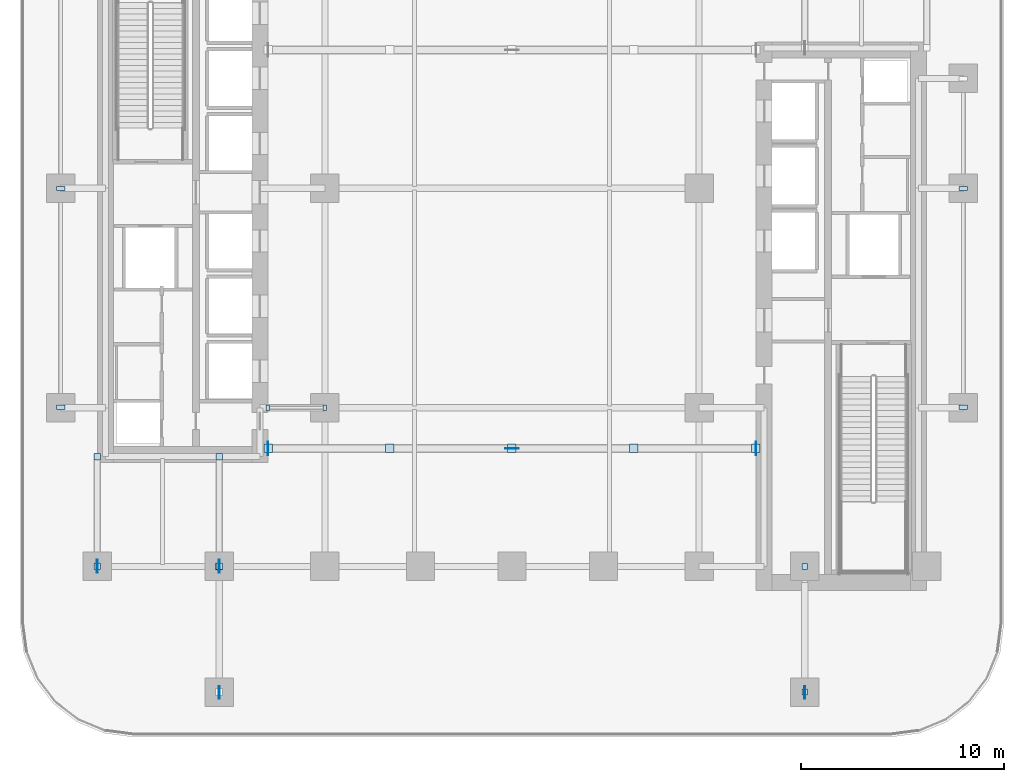
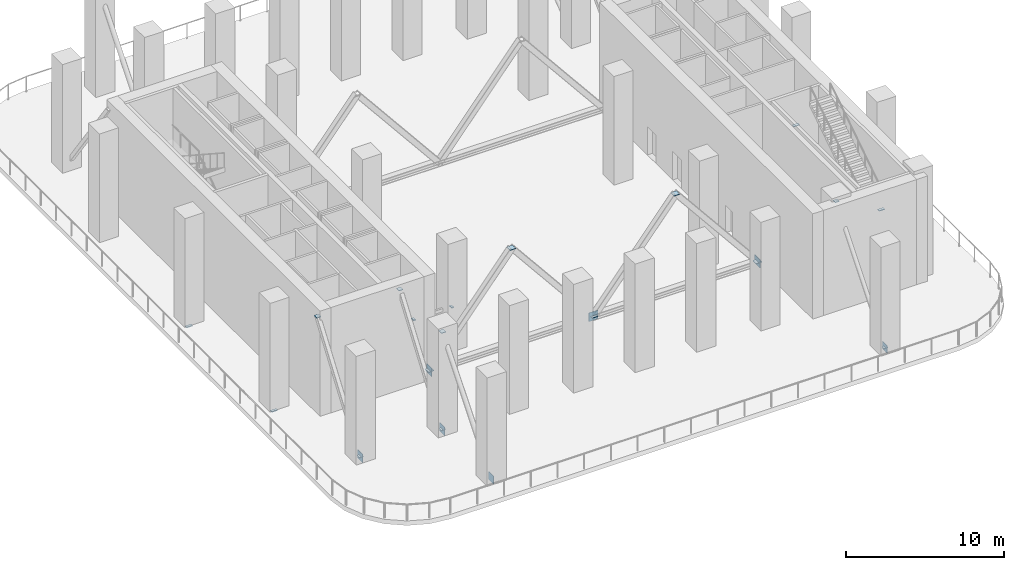
# One storey, part 3 of 13: 25 plates.
"""IFC4 building model written with IfcOpenShell, lengths in metres."""

from ifc_helpers import new_model, si_unit, direction, frame, origin, origin_2d, place, context, subcontext, project, spatial, rectangle, extrude, material, layer, layer_set, type_object, element, save


model = new_model("IFC4")

# Units and contexts
model_context = context("Model", 3, precision=1e-05, world=origin(), true_north=direction((0.0, 1.0)))
body_context = subcontext(model_context, "Body", "Model", "MODEL_VIEW")
ifc_project = project(units=[si_unit("LENGTHUNIT", "METRE"), si_unit("AREAUNIT", "SQUARE_METRE"), si_unit("VOLUMEUNIT", "CUBIC_METRE"), si_unit("PLANEANGLEUNIT", "RADIAN"), si_unit("MASSUNIT", "GRAM", prefix="KILO")], contexts=[model_context])

# Site, building, storey
site_placement = place(None, origin())
site = spatial("IfcSite", under=ifc_project, at=site_placement, CompositionType="ELEMENT")
building_placement = place(site_placement, origin())
building = spatial("IfcBuilding", under=site, at=building_placement, Name="Khairoan Windgate Tower", CompositionType="ELEMENT")
storey_placement = place(building_placement, frame((0.0, 0.0, 84.800048828125)))
storey = spatial("IfcBuildingStorey", under=building, at=storey_placement, Name="L20", CompositionType="ELEMENT", Elevation=84.800048828125)

# Plates
ifc_material_1 = material(Name="Steel S355", Category="steel")
ifc_layer_1 = layer(ifc_material_1, 0.0400390625, Name="Steel S355")
ifc_layer_set_1 = layer_set([ifc_layer_1], Name="Steel S355")
plate_type_1 = type_object("IfcPlateType", Name="Hollow Section End-Cap Plate PL-CAP40", PredefinedType="SHEET", material=ifc_layer_set_1)
for number, where, z_axis, x_axis, name in (
    (1, (-22.199951171875, -10.784912109375, -0.570068359375), (0.0, 0.0, 1.0), (0.0, 1.0, 0.0), "BM-SP-L20-034 steel end-cap plate 1"),
    (2, (-22.199951171875, -0.014892578125, -0.570068359375), (0.0, 0.0, 1.0), (0.0, 1.0, 0.0), "BM-SP-L20-034 steel end-cap plate 2"),
    (3, (22.199951171875, -10.784912109375, -0.570068359375), (0.0, 0.0, 1.0), (0.0, 1.0, 0.0), "BM-SP-L20-061 steel end-cap plate 1"),
    (4, (22.199951171875, -0.014892578125, -0.570068359375), (0.0, 0.0, 1.0), (0.0, 1.0, 0.0), "BM-SP-L20-061 steel end-cap plate 2"),
):
    element("IfcPlate", number, at=place(storey_placement, frame(where, z_axis=z_axis, x_axis=x_axis)), inside=storey, type_object=plate_type_1, Name=name, PredefinedType="SHEET", context=body_context, shape_type="SweptSolid", body=[
        extrude(rectangle(XDim=0.219970703125, YDim=0.419921875, at=origin_2d()), origin(), (0.0, 0.0, 1.0), 0.0400390625),
    ])
for number, where, z_axis, x_axis, name in (
    (5, (-12.0048828125, -10.800048828125, 2.929931640625), (0.0, 0.0, 1.0), (1.0, 0.0, 0.0), "BM-LINTEL-L20 steel end-cap plate 1"),
    (6, (-9.215087890625, -10.800048828125, 2.929931640625), (0.0, 0.0, 1.0), (1.0, 0.0, 0.0), "BM-LINTEL-L20 steel end-cap plate 2"),
):
    element("IfcPlate", number, at=place(storey_placement, frame(where, z_axis=z_axis, x_axis=x_axis)), inside=storey, type_object=plate_type_1, Name=name, PredefinedType="SHEET", context=body_context, shape_type="SweptSolid", body=[
        extrude(rectangle(XDim=0.169921875, YDim=0.27001953125, at=origin_2d()), origin(), (0.0, 0.0, 1.0), 0.0400390625),
    ])
for number, where, z_axis, x_axis, name in (
    (7, (-11.990478515625, -12.800048828125, 0.21142578125), (0.0, 0.0, 1.0), (1.0, 0.0, 0.0), "BR-OT-L20-01 steel end-cap plate 1"),
    (8, (-6.009521484375, -12.800048828125, 7.558349609375), (0.0, 0.0, 1.0), (1.0, 0.0, 0.0), "BR-OT-L20-01 steel end-cap plate 2"),
    (9, (-0.009521484375, -12.800048828125, 0.21142578125), (0.0, 0.0, 1.0), (1.0, 0.0, 0.0), "BR-OT-L20-02 steel end-cap plate 2"),
    (10, (5.990478515625, -12.800048828125, 7.558349609375), (0.0, 0.0, 1.0), (1.0, 0.0, 0.0), "BR-OT-L20-03 steel end-cap plate 2"),
    (11, (11.990478515625, -12.800048828125, 0.21142578125), (0.0, 0.0, 1.0), (1.0, 0.0, 0.0), "BR-OT-L20-04 steel end-cap plate 2"),
):
    element("IfcPlate", number, at=place(storey_placement, frame(where, z_axis=z_axis, x_axis=x_axis)), inside=storey, type_object=plate_type_1, Name=name, PredefinedType="SHEET", context=body_context, shape_type="SweptSolid", body=[
        extrude(rectangle(XDim=0.419921875, YDim=0.419921875, at=origin_2d()), origin(), (0.0, 0.0, 1.0), 0.0400390625),
    ])
for number, where, z_axis, x_axis, name in (
    (12, (-20.39990234375, -18.59130859375, 0.01220703125), (0.0, 0.0, 1.0), (0.0, 1.0, 0.0), "BR-BT-L20-01 steel end-cap plate 1"),
    (13, (-20.39990234375, -13.208740234375, 7.5576171875), (0.0, 0.0, 1.0), (0.0, 1.0, 0.0), "BR-BT-L20-01 steel end-cap plate 2"),
    (14, (-14.39990234375, -18.59130859375, 0.01220703125), (0.0, 0.0, 1.0), (0.0, 1.0, 0.0), "BR-BT-L20-03 steel end-cap plate 1"),
    (15, (-14.39990234375, -13.208740234375, 7.5576171875), (0.0, 0.0, 1.0), (0.0, 1.0, 0.0), "BR-BT-L20-03 steel end-cap plate 2"),
):
    element("IfcPlate", number, at=place(storey_placement, frame(where, z_axis=z_axis, x_axis=x_axis)), inside=storey, type_object=plate_type_1, Name=name, PredefinedType="SHEET", context=body_context, shape_type="SweptSolid", body=[
        extrude(rectangle(XDim=0.320068359375, YDim=0.320068359375, at=origin_2d()), origin(), (0.0, 0.0, 1.0), 0.0400390625),
    ])
for number, where, z_axis, x_axis, name in (
    (16, (14.39990234375, -24.79052734375, 0.011474609375), (0.0, 0.0, 1.0), (0.0, 1.0, 0.0), "BR-CN-1-L20 steel end-cap plate 1"),
    (17, (14.39990234375, -18.609619140625, 7.558349609375), (0.0, 0.0, 1.0), (0.0, 1.0, 0.0), "BR-CN-1-L20 steel end-cap plate 2"),
):
    element("IfcPlate", number, at=place(storey_placement, frame(where, z_axis=z_axis, x_axis=x_axis)), inside=storey, type_object=plate_type_1, Name=name, PredefinedType="SHEET", context=body_context, shape_type="SweptSolid", body=[
        extrude(rectangle(XDim=0.29296875, YDim=0.29296875, at=origin_2d()), origin(), (0.0, 0.0, 1.0), 0.0400390625),
    ])
plate_1_placement = place(storey_placement, frame((-14.39990234375, -18.609619140625, 7.558349609375), z_axis=(0.0, 0.0, 1.0), x_axis=(0.0, 1.0, 0.0)))
element("IfcPlate", 18, at=plate_1_placement, inside=storey, type_object=plate_type_1, Name="BR-CR-2-L20 steel end-cap plate 2", PredefinedType="SHEET", context=body_context, shape_type="SweptSolid", body=[
    extrude(rectangle(XDim=0.343994140625, YDim=0.343994140625, at=origin_2d()), origin(), (0.0, 0.0, 1.0), 0.0400390625),
])
ifc_material_2 = material(Name="Steel S355", Category="steel")
ifc_layer_2 = layer(ifc_material_2, 0.031982421875, Name="Steel S355")
ifc_layer_set_2 = layer_set([ifc_layer_2], Name="Steel S355")
plate_type_2 = type_object("IfcPlateType", Name="Outrigger Node Gusset Plate PL-GUS32", PredefinedType="SHEET", material=ifc_layer_set_2)
for number, where, z_axis, x_axis, name in (
    (19, (-12.0, -12.800048828125, -0.10498046875), (0.0, 0.0, 1.0), (1.0, 0.0, 0.0), "L20 Outrigger Chord West End Gusset"),
    (20, (12.0, -12.800048828125, -0.10498046875), (0.0, 0.0, 1.0), (1.0, 0.0, 0.0), "L20 Outrigger Chord East End Gusset"),
):
    element("IfcPlate", number, at=place(storey_placement, frame(where, z_axis=z_axis, x_axis=x_axis)), inside=storey, type_object=plate_type_2, Name=name, PredefinedType="SHEET", context=body_context, shape_type="SweptSolid", body=[
        extrude(rectangle(XDim=0.031982421875, YDim=0.64990234375, at=origin_2d()), origin(), (0.0, 0.0, 1.0), 0.64990234375),
    ])
plate_2_placement = place(storey_placement, frame((0.0, -12.800048828125, -0.1201171875), z_axis=(0.0, 0.0, 1.0), x_axis=(1.0, 0.0, 0.0)))
element("IfcPlate", 21, at=plate_2_placement, inside=storey, type_object=plate_type_2, Name="L20 Outrigger Brace End Gusset 02", PredefinedType="SHEET", context=body_context, shape_type="SweptSolid", body=[
    extrude(rectangle(XDim=0.679931640625, YDim=0.031982421875, at=origin_2d()), origin(), (0.0, 0.0, 1.0), 0.679931640625),
])
for number, where, z_axis, x_axis, name in (
    (22, (-20.39990234375, -18.60009765625, -0.304931640625), (0.0, 0.0, 1.0), (1.0, 0.0, 0.0), "L20 Belt Brace Start Gusset 01"),
    (23, (-14.39990234375, -18.60009765625, -0.304931640625), (0.0, 0.0, 1.0), (1.0, 0.0, 0.0), "L20 Belt Brace Start Gusset 03"),
):
    element("IfcPlate", number, at=place(storey_placement, frame(where, z_axis=z_axis, x_axis=x_axis)), inside=storey, type_object=plate_type_2, Name=name, PredefinedType="SHEET", context=body_context, shape_type="SweptSolid", body=[
        extrude(rectangle(XDim=0.031982421875, YDim=0.64990234375, at=origin_2d()), origin(), (0.0, 0.0, 1.0), 0.64990234375),
    ])
for number, where, z_axis, x_axis, name in (
    (24, (14.39990234375, -24.800048828125, -0.280029296875), (0.0, 0.0, 1.0), (1.0, 0.0, 0.0), "BR-CN-1-L20 Start Gusset"),
    (25, (-14.39990234375, -24.800048828125, -0.280029296875), (0.0, 0.0, 1.0), (1.0, 0.0, 0.0), "BR-CR-2-L20 Start Gusset"),
):
    element("IfcPlate", number, at=place(storey_placement, frame(where, z_axis=z_axis, x_axis=x_axis)), inside=storey, type_object=plate_type_2, Name=name, PredefinedType="SHEET", context=body_context, shape_type="SweptSolid", body=[
        extrude(rectangle(XDim=0.031982421875, YDim=0.60009765625, at=origin_2d()), origin(), (0.0, 0.0, 1.0), 0.60009765625),
    ])

save(model, "model.ifc")
